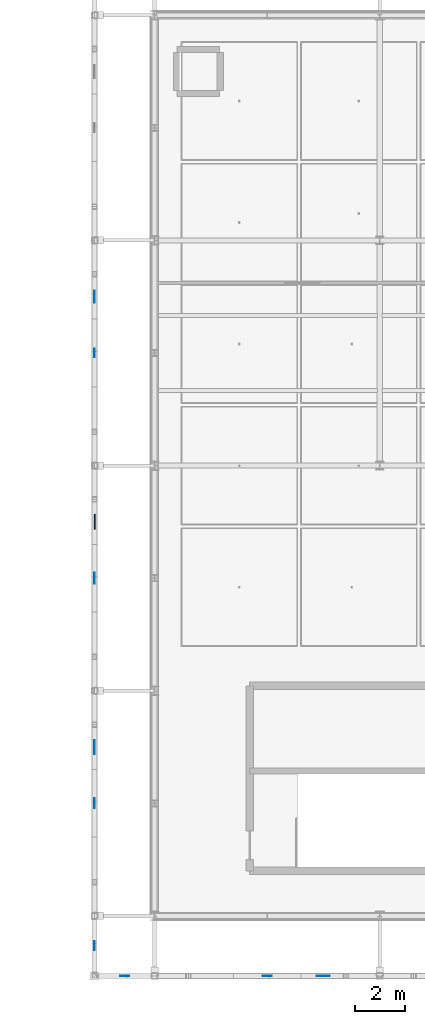
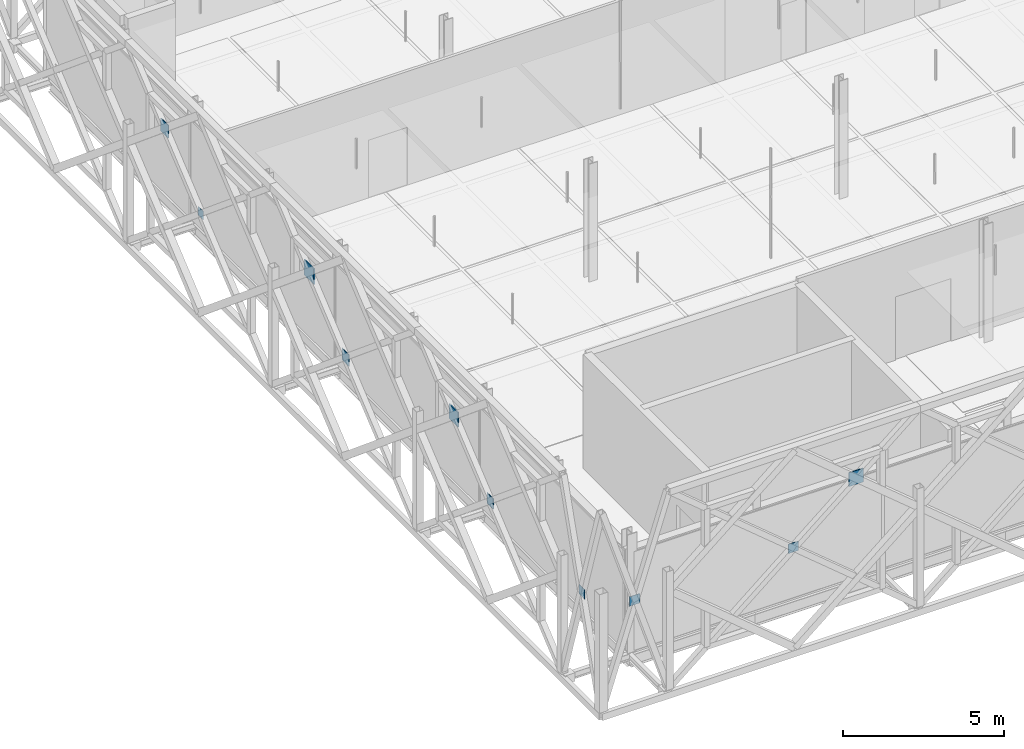
# One storey, part 36 of 66: 10 plates.
"""IFC4 building model written with IfcOpenShell, lengths in metres."""

from ifc_helpers import new_model, si_unit, direction, frame, origin, origin_2d, place, context, subcontext, project, spatial, rectangle, extrude, material, layer, layer_set, type_object, element, save


model = new_model("IFC4")

# Units and contexts
model_context = context("Model", 3, precision=1e-05, world=origin(), true_north=direction((0.0, 1.0)))
body_context = subcontext(model_context, "Body", "Model", "MODEL_VIEW")
ifc_project = project(units=[si_unit("LENGTHUNIT", "METRE"), si_unit("AREAUNIT", "SQUARE_METRE"), si_unit("VOLUMEUNIT", "CUBIC_METRE"), si_unit("PLANEANGLEUNIT", "RADIAN"), si_unit("MASSUNIT", "GRAM", prefix="KILO"), si_unit("THERMODYNAMICTEMPERATUREUNIT", "KELVIN"), si_unit("POWERUNIT", "WATT")], contexts=[model_context])

# Site, building, storey
site_placement = place(None, origin())
site = spatial("IfcSite", under=ifc_project, at=site_placement, CompositionType="ELEMENT")
building_placement = place(site_placement, origin())
building = spatial("IfcBuilding", under=site, at=building_placement, Name="Tallowbark Science Centre", CompositionType="ELEMENT")
storey_placement = place(building_placement, frame((0.0, 0.0, 18.89990234375)))
storey = spatial("IfcBuildingStorey", under=building, at=storey_placement, Name="L04", CompositionType="ELEMENT", Elevation=18.89990234375)

# Plates
ifc_material = material(Name="Structural Steel Grade 300PLUS (300 MPa)", Category="steel")
ifc_layer_1 = layer(ifc_material, 0.011962890625)
ifc_layer_set_1 = layer_set([ifc_layer_1], Name="Structural Steel Grade 300PLUS (300 MPa)")
plate_type_1 = type_object("IfcPlateType", Name="PLT-GUS-12", PredefinedType="SHEET", material=ifc_layer_set_1)
plate_1_placement = place(storey_placement, frame((56.10009765625, 27.0, 3.58984375), z_axis=(0.0, 0.0, 1.0), x_axis=(0.0, 1.0, 0.0)))
element("IfcPlate", 1, at=plate_1_placement, inside=storey, type_object=plate_type_1, Name="Star X-Brace Crossing Gusset Plate W-50", PredefinedType="SHEET", context=body_context, shape_type="SweptSolid", body=[
    extrude(rectangle(XDim=0.320068359375, YDim=0.011962890625, at=origin_2d()), origin(), (0.0, 0.0, 1.0), 0.320068359375),
])
ifc_layer_2 = layer(ifc_material, 0.01611328125)
ifc_layer_set_2 = layer_set([ifc_layer_2], Name="Structural Steel Grade 300PLUS (300 MPa)")
plate_type_2 = type_object("IfcPlateType", Name="PLT-GUS-16", PredefinedType="SHEET", material=ifc_layer_set_2)
for number, where, z_axis, x_axis, name in (
    (2, (63.0, 2.10009765625, 3.56982421875), (0.0, 0.0, 1.0), (1.0, 0.0, 0.0), "Star X-Brace Crossing Gusset Plate S-36"),
    (3, (57.300048828125, 2.10009765625, 3.56982421875), (0.0, 0.0, 1.0), (1.0, 0.0, 0.0), "Star Screen Corner X-Brace Gusset SWX-L04"),
    (4, (56.10009765625, 3.300048828125, 3.56982421875), (0.0, 0.0, 1.0), (0.0, 1.0, 0.0), "Star Screen Corner X-Brace Gusset SWY-L04"),
):
    element("IfcPlate", number, at=place(storey_placement, frame(where, z_axis=z_axis, x_axis=x_axis)), inside=storey, type_object=plate_type_2, Name=name, PredefinedType="SHEET", context=body_context, shape_type="SweptSolid", body=[
        extrude(rectangle(XDim=0.360107421875, YDim=0.01611328125, at=origin_2d()), origin(), (0.0, 0.0, 1.0), 0.360107421875),
    ])
ifc_layer_3 = layer(ifc_material, 0.02001953125)
ifc_layer_set_3 = layer_set([ifc_layer_3], Name="Structural Steel Grade 300PLUS (300 MPa)")
plate_type_3 = type_object("IfcPlateType", Name="PLT-GUS-20", PredefinedType="SHEET", material=ifc_layer_set_3)
plate_2_placement = place(storey_placement, frame((56.10009765625, 9.0, 3.550048828125), z_axis=(0.0, 0.0, 1.0), x_axis=(0.0, 1.0, 0.0)))
element("IfcPlate", 5, at=plate_2_placement, inside=storey, type_object=plate_type_3, Name="Star X-Brace Crossing Gusset Plate W-46", PredefinedType="SHEET", context=body_context, shape_type="SweptSolid", body=[
    extrude(rectangle(XDim=0.39990234375, YDim=0.02001953125, at=origin_2d()), origin(), (0.0, 0.0, 1.0), 0.39990234375),
])
ifc_layer_4 = layer(ifc_material, 0.02392578125)
ifc_layer_set_4 = layer_set([ifc_layer_4], Name="Structural Steel Grade 300PLUS (300 MPa)")
plate_type_4 = type_object("IfcPlateType", Name="PLT-GUS-24", PredefinedType="SHEET", material=ifc_layer_set_4)
plate_3_placement = place(storey_placement, frame((56.10009765625, 18.0, 3.530029296875), z_axis=(0.0, 0.0, 1.0), x_axis=(0.0, 1.0, 0.0)))
element("IfcPlate", 6, at=plate_3_placement, inside=storey, type_object=plate_type_4, Name="Star X-Brace Crossing Gusset Plate W-48", PredefinedType="SHEET", context=body_context, shape_type="SweptSolid", body=[
    extrude(rectangle(XDim=0.43994140625, YDim=0.02392578125, at=origin_2d()), origin(), (0.0, 0.0, 1.0), 0.43994140625),
])
ifc_layer_5 = layer(ifc_material, 0.028076171875)
ifc_layer_set_5 = layer_set([ifc_layer_5], Name="Structural Steel Grade 300PLUS (300 MPa)")
plate_type_5 = type_object("IfcPlateType", Name="PLT-GUS-28", PredefinedType="SHEET", material=ifc_layer_set_5)
plate_4_placement = place(storey_placement, frame((56.10009765625, 29.25, 5.385009765625), z_axis=(0.0, 0.0, 1.0), x_axis=(0.0, 1.0, 0.0)))
element("IfcPlate", 7, at=plate_4_placement, inside=storey, type_object=plate_type_5, Name="Star Primary Chord Crossing Gusset Plate W-50", PredefinedType="SHEET", context=body_context, shape_type="SweptSolid", body=[
    extrude(rectangle(XDim=0.47998046875, YDim=0.028076171875, at=origin_2d()), origin(), (0.0, 0.0, 1.0), 0.47998046875),
])
ifc_layer_6 = layer(ifc_material, 0.031982421875)
ifc_layer_set_6 = layer_set([ifc_layer_6], Name="Structural Steel Grade 300PLUS (300 MPa)")
plate_type_6 = type_object("IfcPlateType", Name="PLT-GUS-32", PredefinedType="SHEET", material=ifc_layer_set_6)
plate_5_placement = place(storey_placement, frame((65.25, 2.10009765625, 5.364990234375), z_axis=(0.0, 0.0, 1.0), x_axis=(1.0, 0.0, 0.0)))
element("IfcPlate", 8, at=plate_5_placement, inside=storey, type_object=plate_type_6, Name="Star Primary Chord Crossing Gusset Plate S-36", PredefinedType="SHEET", context=body_context, shape_type="SweptSolid", body=[
    extrude(rectangle(XDim=0.52001953125, YDim=0.031982421875, at=origin_2d()), origin(), (0.0, 0.0, 1.0), 0.52001953125),
])
ifc_layer_7 = layer(ifc_material, 0.035888671875)
ifc_layer_set_7 = layer_set([ifc_layer_7], Name="Structural Steel Grade 300PLUS (300 MPa)")
plate_type_7 = type_object("IfcPlateType", Name="PLT-GUS-36", PredefinedType="SHEET", material=ifc_layer_set_7)
plate_6_placement = place(storey_placement, frame((56.10009765625, 11.25, 5.344970703125), z_axis=(0.0, 0.0, 1.0), x_axis=(0.0, 1.0, 0.0)))
element("IfcPlate", 9, at=plate_6_placement, inside=storey, type_object=plate_type_7, Name="Star Primary Chord Crossing Gusset Plate W-46", PredefinedType="SHEET", context=body_context, shape_type="SweptSolid", body=[
    extrude(rectangle(XDim=0.56005859375, YDim=0.035888671875, at=origin_2d()), origin(), (0.0, 0.0, 1.0), 0.56005859375),
])
ifc_layer_8 = layer(ifc_material, 0.0400390625)
ifc_layer_set_8 = layer_set([ifc_layer_8], Name="Structural Steel Grade 300PLUS (300 MPa)")
plate_type_8 = type_object("IfcPlateType", Name="PLT-GUS-40", PredefinedType="SHEET", material=ifc_layer_set_8)
plate_7_placement = place(storey_placement, frame((56.10009765625, 20.25, 5.324951171875), z_axis=(0.0, 0.0, 1.0), x_axis=(0.0, 1.0, 0.0)))
element("IfcPlate", 10, at=plate_7_placement, inside=storey, type_object=plate_type_8, Name="Star Primary Chord Crossing Gusset Plate W-48", PredefinedType="SHEET", context=body_context, shape_type="SweptSolid", body=[
    extrude(rectangle(XDim=0.60009765625, YDim=0.0400390625, at=origin_2d()), origin(), (0.0, 0.0, 1.0), 0.60009765625),
])

save(model, "model.ifc")
